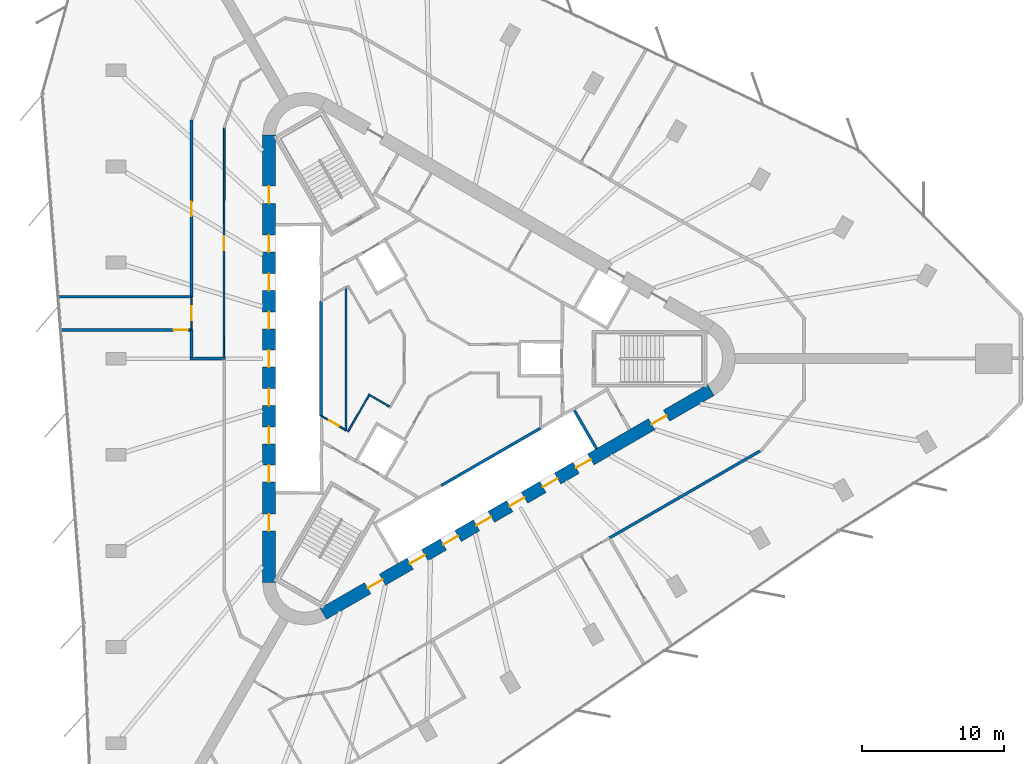
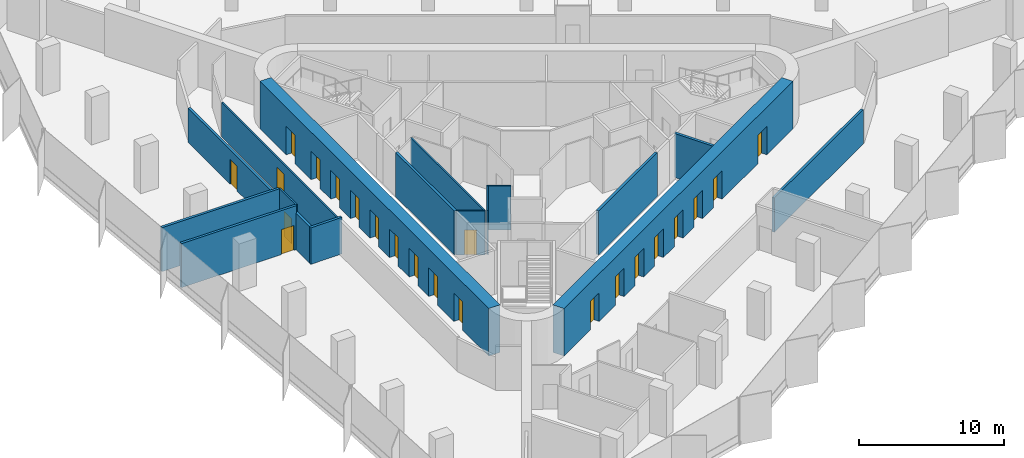
# One storey, part 9 of 13: 22 doors, 17 walls, 22 openings.
"""IFC4 building model written with IfcOpenShell, lengths in metres."""

from ifc_helpers import new_model, si_unit, direction, frame, frame_2d, origin, place, context, subcontext, project, spatial, rectangle, extrude, material, layer, layer_set, type_object, element, fill, save


model = new_model("IFC4")

# Units and contexts
model_context = context("Model", 3, precision=1e-05, world=origin(), true_north=direction((0.0, 1.0)))
body_context = subcontext(model_context, "Body", "Model", "MODEL_VIEW")
ifc_project = project(units=[si_unit("LENGTHUNIT", "METRE"), si_unit("AREAUNIT", "SQUARE_METRE"), si_unit("VOLUMEUNIT", "CUBIC_METRE"), si_unit("PLANEANGLEUNIT", "RADIAN"), si_unit("MASSUNIT", "GRAM", prefix="KILO")], contexts=[model_context])

# Site, building, storey
site_placement = place(None, origin())
site = spatial("IfcSite", under=ifc_project, at=site_placement, CompositionType="ELEMENT")
building_placement = place(site_placement, origin())
building = spatial("IfcBuilding", under=site, at=building_placement, Name="Tanit Gate Tower", CompositionType="ELEMENT")
storey_placement = place(building_placement, frame((0.0, 0.0, 185.199951171875)))
storey = spatial("IfcBuildingStorey", under=building, at=storey_placement, Name="L40", CompositionType="ELEMENT", Elevation=185.199951171875)

# Wall, openings, doors
ifc_material_1 = material(Name="Concrete C50/60", Category="concrete")
ifc_layer_1 = layer(ifc_material_1, 0.89990234375)
ifc_layer_set_1 = layer_set([ifc_layer_1], Name="CORE WALL 900 C50/60")
wall_type_1 = type_object("IfcWallType", Name="CORE WALL 900 C50/60", PredefinedType="SHEAR", material=ifc_layer_set_1)
wall_1_placement = place(storey_placement, frame((-11.64990234375, 15.76171875, 0.0), z_axis=(0.0, 0.0, 1.0), x_axis=(0.0, -1.0, 0.0)))
wall_1 = element("IfcWall", 1, at=wall_1_placement, inside=storey, type_object=wall_type_1, Name="CORE WALL", PredefinedType="SHEAR", context=body_context, shape_type="SweptSolid", body=[
    extrude(rectangle(XDim=31.5234375, YDim=0.89990234375, at=frame_2d((15.76171875, 0.0))), origin(), (0.0, 0.0, 1.0), 4.0),
])
opening_1_placement = place(wall_1_placement, frame((7.061767578125, 0.0, 0.0)))
opening_1 = element("IfcOpeningElement", 2, at=opening_1_placement, cuts=wall_1, Name="Opening LDML1-S10", PredefinedType="OPENING", context=body_context, shape_type="SweptSolid", body=[
    extrude(rectangle(XDim=1.199951171875, YDim=2.39990234375, at=frame_2d((0.60009765625, 1.199951171875))), frame((0.0, 0.4599609375, 0.0), z_axis=(0.0, -1.0, 0.0), x_axis=(1.0, 0.0, 0.0)), (0.0, 0.0, 1.0), 0.919921875),
])
opening_2_placement = place(wall_1_placement, frame((9.76171875, 0.0, 0.0)))
opening_2 = element("IfcOpeningElement", 3, at=opening_2_placement, cuts=wall_1, Name="Opening LDML2-S10", PredefinedType="OPENING", context=body_context, shape_type="SweptSolid", body=[
    extrude(rectangle(XDim=1.199951171875, YDim=2.39990234375, at=frame_2d((0.60009765625, 1.199951171875))), frame((0.0, 0.4599609375, 0.0), z_axis=(0.0, -1.0, 0.0), x_axis=(1.0, 0.0, 0.0)), (0.0, 0.0, 1.0), 0.919921875),
])
opening_3_placement = place(wall_1_placement, frame((12.461669921875, 0.0, 0.0)))
opening_3 = element("IfcOpeningElement", 4, at=opening_3_placement, cuts=wall_1, Name="Opening LDML3-S10", PredefinedType="OPENING", context=body_context, shape_type="SweptSolid", body=[
    extrude(rectangle(XDim=1.199951171875, YDim=2.39990234375, at=frame_2d((0.60009765625, 1.199951171875))), frame((0.0, 0.4599609375, 0.0), z_axis=(0.0, -1.0, 0.0), x_axis=(1.0, 0.0, 0.0)), (0.0, 0.0, 1.0), 0.919921875),
])
opening_4_placement = place(wall_1_placement, frame((15.16162109375, 0.0, 0.0)))
opening_4 = element("IfcOpeningElement", 5, at=opening_4_placement, cuts=wall_1, Name="Opening LDML4-S10", PredefinedType="OPENING", context=body_context, shape_type="SweptSolid", body=[
    extrude(rectangle(XDim=1.199951171875, YDim=2.39990234375, at=frame_2d((0.60009765625, 1.199951171875))), frame((0.0, 0.4599609375, 0.0), z_axis=(0.0, -1.0, 0.0), x_axis=(1.0, 0.0, 0.0)), (0.0, 0.0, 1.0), 0.919921875),
])
opening_5_placement = place(wall_1_placement, frame((17.86181640625, 0.0, 0.0)))
opening_5 = element("IfcOpeningElement", 6, at=opening_5_placement, cuts=wall_1, Name="Opening LDML5-S10", PredefinedType="OPENING", context=body_context, shape_type="SweptSolid", body=[
    extrude(rectangle(XDim=1.199951171875, YDim=2.39990234375, at=frame_2d((0.60009765625, 1.199951171875))), frame((0.0, 0.4599609375, 0.0), z_axis=(0.0, -1.0, 0.0), x_axis=(1.0, 0.0, 0.0)), (0.0, 0.0, 1.0), 0.919921875),
])
opening_6_placement = place(wall_1_placement, frame((20.561767578125, 0.0, 0.0)))
opening_6 = element("IfcOpeningElement", 7, at=opening_6_placement, cuts=wall_1, Name="Opening LDML6-S10", PredefinedType="OPENING", context=body_context, shape_type="SweptSolid", body=[
    extrude(rectangle(XDim=1.199951171875, YDim=2.39990234375, at=frame_2d((0.60009765625, 1.199951171875))), frame((0.0, 0.4599609375, 0.0), z_axis=(0.0, -1.0, 0.0), x_axis=(1.0, 0.0, 0.0)), (0.0, 0.0, 1.0), 0.919921875),
])
opening_7_placement = place(wall_1_placement, frame((23.26171875, 0.0, 0.0)))
opening_7 = element("IfcOpeningElement", 8, at=opening_7_placement, cuts=wall_1, Name="Opening LDML7-S10", PredefinedType="OPENING", context=body_context, shape_type="SweptSolid", body=[
    extrude(rectangle(XDim=1.199951171875, YDim=2.39990234375, at=frame_2d((0.60009765625, 1.199951171875))), frame((0.0, 0.4599609375, 0.0), z_axis=(0.0, -1.0, 0.0), x_axis=(1.0, 0.0, 0.0)), (0.0, 0.0, 1.0), 0.919921875),
])
opening_8_placement = place(wall_1_placement, frame((3.61181640625, 0.0, 0.0)))
opening_8 = element("IfcOpeningElement", 9, at=opening_8_placement, cuts=wall_1, Name="Opening F12-S10-FL2", PredefinedType="OPENING", context=body_context, shape_type="SweptSolid", body=[
    extrude(rectangle(XDim=1.199951171875, YDim=2.39990234375, at=frame_2d((0.60009765625, 1.199951171875))), frame((0.0, 0.4599609375, 0.0), z_axis=(0.0, -1.0, 0.0), x_axis=(1.0, 0.0, 0.0)), (0.0, 0.0, 1.0), 0.919921875),
])
opening_9_placement = place(wall_1_placement, frame((26.711669921875, 0.0, 0.0)))
opening_9 = element("IfcOpeningElement", 10, at=opening_9_placement, cuts=wall_1, Name="Opening F12-S10-S3", PredefinedType="OPENING", context=body_context, shape_type="SweptSolid", body=[
    extrude(rectangle(XDim=1.199951171875, YDim=2.39990234375, at=frame_2d((0.60009765625, 1.199951171875))), frame((0.0, 0.4599609375, 0.0), z_axis=(0.0, -1.0, 0.0), x_axis=(1.0, 0.0, 0.0)), (0.0, 0.0, 1.0), 0.919921875),
])
ifc_material_2 = material(Name="Fire-rated steel door leaf", Category="steel")
door_type_1 = type_object("IfcDoorType", Name="INT-DOOR-FIRE-LOBBY-1200", OperationType="NOTDEFINED", PredefinedType="USERDEFINED", material=ifc_material_2)
door_1_placement = place(opening_8_placement, origin())
door_1 = element("IfcDoor", 11, at=door_1_placement, inside=storey, type_object=door_type_1, Name="Door F12-S10-FL2", ObjectType="FIRE DOOR", OperationType="SINGLE_SWING_RIGHT", OverallHeight=2.39990234375, OverallWidth=1.199951171875, PredefinedType="USERDEFINED", context=body_context, shape_type="SweptSolid", body=[
    extrude(rectangle(XDim=1.199951171875, YDim=2.39990234375, at=frame_2d((0.60009765625, 1.199951171875))), frame((0.0, 0.02490234375, 0.0), z_axis=(0.0, -1.0, 0.0), x_axis=(1.0, 0.0, 0.0)), (0.0, 0.0, 1.0), 0.050048828125),
])
fill(opening_8, door_1)
door_2_placement = place(opening_9_placement, origin())
door_2 = element("IfcDoor", 12, at=door_2_placement, inside=storey, type_object=door_type_1, Name="Door F12-S10-S3", ObjectType="FIRE DOOR", OperationType="SINGLE_SWING_RIGHT", OverallHeight=2.39990234375, OverallWidth=1.199951171875, PredefinedType="USERDEFINED", context=body_context, shape_type="SweptSolid", body=[
    extrude(rectangle(XDim=1.199951171875, YDim=2.39990234375, at=frame_2d((0.60009765625, 1.199951171875))), frame((0.0, 0.02490234375, 0.0), z_axis=(0.0, -1.0, 0.0), x_axis=(1.0, 0.0, 0.0)), (0.0, 0.0, 1.0), 0.050048828125),
])
fill(opening_9, door_2)
ifc_material_3 = material(Name="Stainless steel sliding door leaf", Category="steel")
door_type_2 = type_object("IfcDoorType", Name="INT-DOOR-LANDING-1200", OperationType="NOTDEFINED", PredefinedType="USERDEFINED", material=ifc_material_3)
door_3_placement = place(opening_1_placement, origin())
door_3 = element("IfcDoor", 13, at=door_3_placement, inside=storey, type_object=door_type_2, Name="Door LDML1-S10", ObjectType="LANDING DOOR", OperationType="SLIDING_TO_LEFT", OverallHeight=2.39990234375, OverallWidth=1.199951171875, PredefinedType="USERDEFINED", context=body_context, shape_type="SweptSolid", body=[
    extrude(rectangle(XDim=1.199951171875, YDim=2.39990234375, at=frame_2d((0.60009765625, 1.199951171875))), frame((0.0, 0.02490234375, 0.0), z_axis=(0.0, -1.0, 0.0), x_axis=(1.0, 0.0, 0.0)), (0.0, 0.0, 1.0), 0.050048828125),
])
fill(opening_1, door_3)
door_4_placement = place(opening_2_placement, origin())
door_4 = element("IfcDoor", 14, at=door_4_placement, inside=storey, type_object=door_type_2, Name="Door LDML2-S10", ObjectType="LANDING DOOR", OperationType="SLIDING_TO_LEFT", OverallHeight=2.39990234375, OverallWidth=1.199951171875, PredefinedType="USERDEFINED", context=body_context, shape_type="SweptSolid", body=[
    extrude(rectangle(XDim=1.199951171875, YDim=2.39990234375, at=frame_2d((0.60009765625, 1.199951171875))), frame((0.0, 0.02490234375, 0.0), z_axis=(0.0, -1.0, 0.0), x_axis=(1.0, 0.0, 0.0)), (0.0, 0.0, 1.0), 0.050048828125),
])
fill(opening_2, door_4)
door_5_placement = place(opening_3_placement, origin())
door_5 = element("IfcDoor", 15, at=door_5_placement, inside=storey, type_object=door_type_2, Name="Door LDML3-S10", ObjectType="LANDING DOOR", OperationType="SLIDING_TO_LEFT", OverallHeight=2.39990234375, OverallWidth=1.199951171875, PredefinedType="USERDEFINED", context=body_context, shape_type="SweptSolid", body=[
    extrude(rectangle(XDim=1.199951171875, YDim=2.39990234375, at=frame_2d((0.60009765625, 1.199951171875))), frame((0.0, 0.02490234375, 0.0), z_axis=(0.0, -1.0, 0.0), x_axis=(1.0, 0.0, 0.0)), (0.0, 0.0, 1.0), 0.050048828125),
])
fill(opening_3, door_5)
door_6_placement = place(opening_4_placement, origin())
door_6 = element("IfcDoor", 16, at=door_6_placement, inside=storey, type_object=door_type_2, Name="Door LDML4-S10", ObjectType="LANDING DOOR", OperationType="SLIDING_TO_LEFT", OverallHeight=2.39990234375, OverallWidth=1.199951171875, PredefinedType="USERDEFINED", context=body_context, shape_type="SweptSolid", body=[
    extrude(rectangle(XDim=1.199951171875, YDim=2.39990234375, at=frame_2d((0.60009765625, 1.199951171875))), frame((0.0, 0.02490234375, 0.0), z_axis=(0.0, -1.0, 0.0), x_axis=(1.0, 0.0, 0.0)), (0.0, 0.0, 1.0), 0.050048828125),
])
fill(opening_4, door_6)
door_7_placement = place(opening_5_placement, origin())
door_7 = element("IfcDoor", 17, at=door_7_placement, inside=storey, type_object=door_type_2, Name="Door LDML5-S10", ObjectType="LANDING DOOR", OperationType="SLIDING_TO_LEFT", OverallHeight=2.39990234375, OverallWidth=1.199951171875, PredefinedType="USERDEFINED", context=body_context, shape_type="SweptSolid", body=[
    extrude(rectangle(XDim=1.199951171875, YDim=2.39990234375, at=frame_2d((0.60009765625, 1.199951171875))), frame((0.0, 0.02490234375, 0.0), z_axis=(0.0, -1.0, 0.0), x_axis=(1.0, 0.0, 0.0)), (0.0, 0.0, 1.0), 0.050048828125),
])
fill(opening_5, door_7)
door_8_placement = place(opening_6_placement, origin())
door_8 = element("IfcDoor", 18, at=door_8_placement, inside=storey, type_object=door_type_2, Name="Door LDML6-S10", ObjectType="LANDING DOOR", OperationType="SLIDING_TO_LEFT", OverallHeight=2.39990234375, OverallWidth=1.199951171875, PredefinedType="USERDEFINED", context=body_context, shape_type="SweptSolid", body=[
    extrude(rectangle(XDim=1.199951171875, YDim=2.39990234375, at=frame_2d((0.60009765625, 1.199951171875))), frame((0.0, 0.02490234375, 0.0), z_axis=(0.0, -1.0, 0.0), x_axis=(1.0, 0.0, 0.0)), (0.0, 0.0, 1.0), 0.050048828125),
])
fill(opening_6, door_8)
door_9_placement = place(opening_7_placement, origin())
door_9 = element("IfcDoor", 19, at=door_9_placement, inside=storey, type_object=door_type_2, Name="Door LDML7-S10", ObjectType="LANDING DOOR", OperationType="SLIDING_TO_LEFT", OverallHeight=2.39990234375, OverallWidth=1.199951171875, PredefinedType="USERDEFINED", context=body_context, shape_type="SweptSolid", body=[
    extrude(rectangle(XDim=1.199951171875, YDim=2.39990234375, at=frame_2d((0.60009765625, 1.199951171875))), frame((0.0, 0.02490234375, 0.0), z_axis=(0.0, -1.0, 0.0), x_axis=(1.0, 0.0, 0.0)), (0.0, 0.0, 1.0), 0.050048828125),
])
fill(opening_7, door_9)

wall_2_placement = place(storey_placement, frame((-7.824951171875, -17.969970703125, 0.0), z_axis=(0.0, 0.0, 1.0), x_axis=(0.866028369851, 0.499994862586, 0.0)))
wall_2 = element("IfcWall", 20, at=wall_2_placement, inside=storey, type_object=wall_type_1, Name="CORE WALL", PredefinedType="SHEAR", context=body_context, shape_type="SweptSolid", body=[
    extrude(rectangle(XDim=31.523193359375, YDim=0.89990234375, at=frame_2d((15.76171875, 0.0))), origin(), (0.0, 0.0, 1.0), 4.0),
])
opening_10_placement = place(wall_2_placement, frame((7.061767578125, 0.0, 0.0)))
opening_10 = element("IfcOpeningElement", 21, at=opening_10_placement, cuts=wall_2, Name="Opening LDSX1-S10", PredefinedType="OPENING", context=body_context, shape_type="SweptSolid", body=[
    extrude(rectangle(XDim=1.199951171875, YDim=2.39990234375, at=frame_2d((0.60009765625, 1.199951171875))), frame((0.0, 0.4599609375, 0.0), z_axis=(0.0, -1.0, 0.0), x_axis=(1.0, 0.0, 0.0)), (0.0, 0.0, 1.0), 0.919921875),
])
opening_11_placement = place(wall_2_placement, frame((9.76171875, 0.0, 0.0)))
opening_11 = element("IfcOpeningElement", 22, at=opening_11_placement, cuts=wall_2, Name="Opening LDSX2-S10", PredefinedType="OPENING", context=body_context, shape_type="SweptSolid", body=[
    extrude(rectangle(XDim=1.199951171875, YDim=2.39990234375, at=frame_2d((0.60009765625, 1.199951171875))), frame((0.0, 0.4599609375, 0.0), z_axis=(0.0, -1.0, 0.0), x_axis=(1.0, 0.0, 0.0)), (0.0, 0.0, 1.0), 0.919921875),
])
opening_12_placement = place(wall_2_placement, frame((12.461669921875, 0.0, 0.0)))
opening_12 = element("IfcOpeningElement", 23, at=opening_12_placement, cuts=wall_2, Name="Opening LDSX3-S10", PredefinedType="OPENING", context=body_context, shape_type="SweptSolid", body=[
    extrude(rectangle(XDim=1.199951171875, YDim=2.39990234375, at=frame_2d((0.60009765625, 1.199951171875))), frame((0.0, 0.4599609375, 0.0), z_axis=(0.0, -1.0, 0.0), x_axis=(1.0, 0.0, 0.0)), (0.0, 0.0, 1.0), 0.919921875),
])
opening_13_placement = place(wall_2_placement, frame((15.16162109375, 0.0, 0.0)))
opening_13 = element("IfcOpeningElement", 24, at=opening_13_placement, cuts=wall_2, Name="Opening LDSX4-S10", PredefinedType="OPENING", context=body_context, shape_type="SweptSolid", body=[
    extrude(rectangle(XDim=1.199951171875, YDim=2.39990234375, at=frame_2d((0.60009765625, 1.199951171875))), frame((0.0, 0.4599609375, 0.0), z_axis=(0.0, -1.0, 0.0), x_axis=(1.0, 0.0, 0.0)), (0.0, 0.0, 1.0), 0.919921875),
])
opening_14_placement = place(wall_2_placement, frame((17.861572265625, 0.0, 0.0)))
opening_14 = element("IfcOpeningElement", 25, at=opening_14_placement, cuts=wall_2, Name="Opening LDSV1-S10", PredefinedType="OPENING", context=body_context, shape_type="SweptSolid", body=[
    extrude(rectangle(XDim=1.199951171875, YDim=2.39990234375, at=frame_2d((0.60009765625, 1.199951171875))), frame((0.0, 0.4599609375, 0.0), z_axis=(0.0, -1.0, 0.0), x_axis=(1.0, 0.0, 0.0)), (0.0, 0.0, 1.0), 0.919921875),
])
opening_15_placement = place(wall_2_placement, frame((20.561767578125, 0.0, 0.0)))
opening_15 = element("IfcOpeningElement", 26, at=opening_15_placement, cuts=wall_2, Name="Opening LDSV2-S10", PredefinedType="OPENING", context=body_context, shape_type="SweptSolid", body=[
    extrude(rectangle(XDim=1.199951171875, YDim=2.39990234375, at=frame_2d((0.60009765625, 1.199951171875))), frame((0.0, 0.4599609375, 0.0), z_axis=(0.0, -1.0, 0.0), x_axis=(1.0, 0.0, 0.0)), (0.0, 0.0, 1.0), 0.919921875),
])
opening_16_placement = place(wall_2_placement, frame((26.711669921875, 0.0, 0.0)))
opening_16 = element("IfcOpeningElement", 27, at=opening_16_placement, cuts=wall_2, Name="Opening F12-S10-S1", PredefinedType="OPENING", context=body_context, shape_type="SweptSolid", body=[
    extrude(rectangle(XDim=1.199951171875, YDim=2.39990234375, at=frame_2d((0.60009765625, 1.199951171875))), frame((0.0, 0.4599609375, 0.0), z_axis=(0.0, -1.0, 0.0), x_axis=(1.0, 0.0, 0.0)), (0.0, 0.0, 1.0), 0.919921875),
])
opening_17_placement = place(wall_2_placement, frame((3.611572265625, 0.0, 0.0)))
opening_17 = element("IfcOpeningElement", 28, at=opening_17_placement, cuts=wall_2, Name="Opening F12-S10-FL3", PredefinedType="OPENING", context=body_context, shape_type="SweptSolid", body=[
    extrude(rectangle(XDim=1.199951171875, YDim=2.39990234375, at=frame_2d((0.60009765625, 1.199951171875))), frame((0.0, 0.4599609375, 0.0), z_axis=(0.0, -1.0, 0.0), x_axis=(1.0, 0.0, 0.0)), (0.0, 0.0, 1.0), 0.919921875),
])
door_10_placement = place(opening_16_placement, origin())
door_10 = element("IfcDoor", 29, at=door_10_placement, inside=storey, type_object=door_type_1, Name="Door F12-S10-S1", ObjectType="FIRE DOOR", OperationType="SINGLE_SWING_LEFT", OverallHeight=2.39990234375, OverallWidth=1.199951171875, PredefinedType="USERDEFINED", context=body_context, shape_type="SweptSolid", body=[
    extrude(rectangle(XDim=1.199951171875, YDim=2.39990234375, at=frame_2d((0.60009765625, 1.199951171875))), frame((0.0, 0.02490234375, 0.0), z_axis=(0.0, -1.0, 0.0), x_axis=(1.0, 0.0, 0.0)), (0.0, 0.0, 1.0), 0.050048828125),
])
fill(opening_16, door_10)
door_11_placement = place(opening_17_placement, origin())
door_11 = element("IfcDoor", 30, at=door_11_placement, inside=storey, type_object=door_type_1, Name="Door F12-S10-FL3", ObjectType="FIRE DOOR", OperationType="SINGLE_SWING_RIGHT", OverallHeight=2.39990234375, OverallWidth=1.199951171875, PredefinedType="USERDEFINED", context=body_context, shape_type="SweptSolid", body=[
    extrude(rectangle(XDim=1.199951171875, YDim=2.39990234375, at=frame_2d((0.60009765625, 1.199951171875))), frame((0.0, 0.02490234375, 0.0), z_axis=(0.0, -1.0, 0.0), x_axis=(1.0, 0.0, 0.0)), (0.0, 0.0, 1.0), 0.050048828125),
])
fill(opening_17, door_11)
door_12_placement = place(opening_10_placement, origin())
door_12 = element("IfcDoor", 31, at=door_12_placement, inside=storey, type_object=door_type_2, Name="Door LDSX1-S10", ObjectType="LANDING DOOR", OperationType="SLIDING_TO_LEFT", OverallHeight=2.39990234375, OverallWidth=1.199951171875, PredefinedType="USERDEFINED", context=body_context, shape_type="SweptSolid", body=[
    extrude(rectangle(XDim=1.199951171875, YDim=2.39990234375, at=frame_2d((0.60009765625, 1.199951171875))), frame((0.0, 0.02490234375, 0.0), z_axis=(0.0, -1.0, 0.0), x_axis=(1.0, 0.0, 0.0)), (0.0, 0.0, 1.0), 0.050048828125),
])
fill(opening_10, door_12)
door_13_placement = place(opening_11_placement, origin())
door_13 = element("IfcDoor", 32, at=door_13_placement, inside=storey, type_object=door_type_2, Name="Door LDSX2-S10", ObjectType="LANDING DOOR", OperationType="SLIDING_TO_LEFT", OverallHeight=2.39990234375, OverallWidth=1.199951171875, PredefinedType="USERDEFINED", context=body_context, shape_type="SweptSolid", body=[
    extrude(rectangle(XDim=1.199951171875, YDim=2.39990234375, at=frame_2d((0.60009765625, 1.199951171875))), frame((0.0, 0.02490234375, 0.0), z_axis=(0.0, -1.0, 0.0), x_axis=(1.0, 0.0, 0.0)), (0.0, 0.0, 1.0), 0.050048828125),
])
fill(opening_11, door_13)
door_14_placement = place(opening_12_placement, origin())
door_14 = element("IfcDoor", 33, at=door_14_placement, inside=storey, type_object=door_type_2, Name="Door LDSX3-S10", ObjectType="LANDING DOOR", OperationType="SLIDING_TO_LEFT", OverallHeight=2.39990234375, OverallWidth=1.199951171875, PredefinedType="USERDEFINED", context=body_context, shape_type="SweptSolid", body=[
    extrude(rectangle(XDim=1.199951171875, YDim=2.39990234375, at=frame_2d((0.60009765625, 1.199951171875))), frame((0.0, 0.02490234375, 0.0), z_axis=(0.0, -1.0, 0.0), x_axis=(1.0, 0.0, 0.0)), (0.0, 0.0, 1.0), 0.050048828125),
])
fill(opening_12, door_14)
door_15_placement = place(opening_13_placement, origin())
door_15 = element("IfcDoor", 34, at=door_15_placement, inside=storey, type_object=door_type_2, Name="Door LDSX4-S10", ObjectType="LANDING DOOR", OperationType="SLIDING_TO_LEFT", OverallHeight=2.39990234375, OverallWidth=1.199951171875, PredefinedType="USERDEFINED", context=body_context, shape_type="SweptSolid", body=[
    extrude(rectangle(XDim=1.199951171875, YDim=2.39990234375, at=frame_2d((0.60009765625, 1.199951171875))), frame((0.0, 0.02490234375, 0.0), z_axis=(0.0, -1.0, 0.0), x_axis=(1.0, 0.0, 0.0)), (0.0, 0.0, 1.0), 0.050048828125),
])
fill(opening_13, door_15)
door_16_placement = place(opening_14_placement, origin())
door_16 = element("IfcDoor", 35, at=door_16_placement, inside=storey, type_object=door_type_2, Name="Door LDSV1-S10", ObjectType="LANDING DOOR", OperationType="SLIDING_TO_LEFT", OverallHeight=2.39990234375, OverallWidth=1.199951171875, PredefinedType="USERDEFINED", context=body_context, shape_type="SweptSolid", body=[
    extrude(rectangle(XDim=1.199951171875, YDim=2.39990234375, at=frame_2d((0.60009765625, 1.199951171875))), frame((0.0, 0.02490234375, 0.0), z_axis=(0.0, -1.0, 0.0), x_axis=(1.0, 0.0, 0.0)), (0.0, 0.0, 1.0), 0.050048828125),
])
fill(opening_14, door_16)
door_17_placement = place(opening_15_placement, origin())
door_17 = element("IfcDoor", 36, at=door_17_placement, inside=storey, type_object=door_type_2, Name="Door LDSV2-S10", ObjectType="LANDING DOOR", OperationType="SLIDING_TO_LEFT", OverallHeight=2.39990234375, OverallWidth=1.199951171875, PredefinedType="USERDEFINED", context=body_context, shape_type="SweptSolid", body=[
    extrude(rectangle(XDim=1.199951171875, YDim=2.39990234375, at=frame_2d((0.60009765625, 1.199951171875))), frame((0.0, 0.02490234375, 0.0), z_axis=(0.0, -1.0, 0.0), x_axis=(1.0, 0.0, 0.0)), (0.0, 0.0, 1.0), 0.050048828125),
])
fill(opening_15, door_17)

# Wall
ifc_material_4 = material(Name="Fire-rated gypsum board partition")
ifc_layer_2 = layer(ifc_material_4, 0.199951171875)
ifc_layer_set_2 = layer_set([ifc_layer_2], Name="INT-WALL-COMPARTMENT")
wall_type_2 = type_object("IfcWallType", Name="INT-WALL-COMPARTMENT", PredefinedType="PARTITIONING", material=ifc_layer_set_2)
wall_3_placement = place(storey_placement, frame((-17.199951171875, -0.001220703125, 0.0), z_axis=(0.0, 0.0, 1.0), x_axis=(0.999915662945, 0.012987185857, 0.0)))
element("IfcWall", 37, at=wall_3_placement, inside=storey, type_object=wall_type_2, Name="Wall Compartment W088", PredefinedType="PARTITIONING", context=body_context, shape_type="SweptSolid", body=[
    extrude(rectangle(XDim=2.500244140625, YDim=0.199951171875, at=frame_2d((1.25, 0.0))), origin(), (0.0, 0.0, 1.0), 3.070068359375),
])

# Wall, opening, door
wall_4_placement = place(storey_placement, frame((-17.10009765625, 16.82275390625, 0.0), z_axis=(0.0, 0.0, 1.0), x_axis=(0.0, -1.0, 0.0)))
wall_4 = element("IfcWall", 38, at=wall_4_placement, inside=storey, type_object=wall_type_2, Name="Wall Compartment W090", PredefinedType="PARTITIONING", context=body_context, shape_type="SweptSolid", body=[
    extrude(rectangle(XDim=12.47265625, YDim=0.199951171875, at=frame_2d((6.236328125, 0.0))), origin(), (0.0, 0.0, 1.0), 2.880126953125),
])
opening_18_placement = place(wall_4_placement, frame((5.7763671875, 0.0, 0.0)))
opening_18 = element("IfcOpeningElement", 39, at=opening_18_placement, cuts=wall_4, Name="Opening F10-S10-26", PredefinedType="OPENING", context=body_context, shape_type="SweptSolid", body=[
    extrude(rectangle(XDim=1.0, YDim=2.10009765625, at=frame_2d((0.5, 1.050048828125))), frame((0.0, 0.10986328125, 0.0), z_axis=(0.0, -1.0, 0.0), x_axis=(1.0, 0.0, 0.0)), (0.0, 0.0, 1.0), 0.219970703125),
])
ifc_material_5 = material(Name="Fire-rated steel door leaf", Category="steel")
door_type_3 = type_object("IfcDoorType", Name="INT-DOOR-FIRE-1000", OperationType="NOTDEFINED", PredefinedType="USERDEFINED", material=ifc_material_5)
door_18_placement = place(opening_18_placement, origin())
door_18 = element("IfcDoor", 40, at=door_18_placement, inside=storey, type_object=door_type_3, Name="Door F10-S10-26", ObjectType="FIRE DOOR", OperationType="SINGLE_SWING_RIGHT", OverallHeight=2.10009765625, OverallWidth=1.0, PredefinedType="USERDEFINED", context=body_context, shape_type="SweptSolid", body=[
    extrude(rectangle(XDim=1.0, YDim=2.10009765625, at=frame_2d((0.5, 1.050048828125))), frame((0.0, 0.02490234375, 0.0), z_axis=(0.0, -1.0, 0.0), x_axis=(1.0, 0.0, 0.0)), (0.0, 0.0, 1.0), 0.050048828125),
])
fill(opening_18, door_18)

# Walls
wall_5_placement = place(storey_placement, frame((-17.10009765625, 2.050048828125, 0.0), z_axis=(0.0, 0.0, 1.0), x_axis=(0.0, -1.0, 0.0)))
element("IfcWall", 41, at=wall_5_placement, inside=storey, type_object=wall_type_2, Name="Wall Compartment W089", PredefinedType="PARTITIONING", context=body_context, shape_type="SweptSolid", body=[
    extrude(rectangle(XDim=1.949951171875, YDim=0.199951171875, at=frame_2d((0.97509765625, 0.0))), origin(), (0.0, 0.0, 1.0), 3.070068359375),
])
wall_6_placement = place(storey_placement, frame((12.317138671875, -12.634033203125, 0.0), z_axis=(0.0, 0.0, 1.0), x_axis=(0.866028561818, 0.499994530085, 0.0)))
element("IfcWall", 42, at=wall_6_placement, inside=storey, type_object=wall_type_2, Name="Wall Compartment W107", PredefinedType="PARTITIONING", context=body_context, shape_type="SweptSolid", body=[
    extrude(rectangle(XDim=12.272705078125, YDim=0.199951171875, at=frame_2d((6.13623046875, 0.0))), origin(), (0.0, 0.0, 1.0), 2.880126953125),
])

# Wall, opening, door
wall_7_placement = place(storey_placement, frame((-26.33154296875, 2.02978515625, 0.0), z_axis=(0.0, 0.0, 1.0), x_axis=(0.999999999646, 2.6619107e-05, 0.0)))
wall_7 = element("IfcWall", 43, at=wall_7_placement, inside=storey, type_object=wall_type_2, Name="Wall Compartment W113", PredefinedType="PARTITIONING", context=body_context, shape_type="SweptSolid", body=[
    extrude(rectangle(XDim=9.171630859375, YDim=0.199951171875, at=frame_2d((4.5859375, 0.0))), origin(), (0.0, 0.0, 1.0), 3.699951171875),
])
opening_19_placement = place(wall_7_placement, frame((7.9716796875, 0.0, 0.0)))
opening_19 = element("IfcOpeningElement", 44, at=opening_19_placement, cuts=wall_7, Name="Opening F10-S10-25", PredefinedType="OPENING", context=body_context, shape_type="SweptSolid", body=[
    extrude(rectangle(XDim=1.0, YDim=2.10009765625, at=frame_2d((0.5, 1.050048828125))), frame((0.0, 0.10986328125, 0.0), z_axis=(0.0, -1.0, 0.0), x_axis=(1.0, 0.0, 0.0)), (0.0, 0.0, 1.0), 0.219970703125),
])
door_19_placement = place(opening_19_placement, origin())
door_19 = element("IfcDoor", 45, at=door_19_placement, inside=storey, type_object=door_type_3, Name="Door F10-S10-25", ObjectType="FIRE DOOR", OperationType="SINGLE_SWING_RIGHT", OverallHeight=2.10009765625, OverallWidth=1.0, PredefinedType="USERDEFINED", context=body_context, shape_type="SweptSolid", body=[
    extrude(rectangle(XDim=1.0, YDim=2.10009765625, at=frame_2d((0.5, 1.050048828125))), frame((0.0, 0.02490234375, 0.0), z_axis=(0.0, -1.0, 0.0), x_axis=(1.0, 0.0, 0.0)), (0.0, 0.0, 1.0), 0.050048828125),
])
fill(opening_19, door_19)

# Walls
wall_8_placement = place(storey_placement, frame((-17.159912109375, 4.3701171875, 0.0), z_axis=(0.0, 0.0, 1.0), x_axis=(-1.0, 0.0, 0.0)))
element("IfcWall", 46, at=wall_8_placement, inside=storey, type_object=wall_type_2, Name="Wall Compartment W114", PredefinedType="PARTITIONING", context=body_context, shape_type="SweptSolid", body=[
    extrude(rectangle(XDim=9.35400390625, YDim=0.199951171875, at=frame_2d((4.677001953125, 0.0))), origin(), (0.0, 0.0, 1.0), 3.699951171875),
])
ifc_material_6 = material(Name="Gypsum board partition")
ifc_layer_3 = layer(ifc_material_6, 0.1201171875)
ifc_layer_set_3 = layer_set([ifc_layer_3], Name="INT-WALL-PARTITION")
wall_type_3 = type_object("IfcWallType", Name="INT-WALL-PARTITION", PredefinedType="PARTITIONING", material=ifc_layer_set_3)
wall_9_placement = place(storey_placement, frame((-6.2314453125, 5.0625, 0.0), z_axis=(0.0, 0.0, 1.0), x_axis=(0.0, -1.0, 0.0)))
element("IfcWall", 47, at=wall_9_placement, inside=storey, type_object=wall_type_3, Name="Wall Partition W074", PredefinedType="PARTITIONING", context=body_context, shape_type="SweptSolid", body=[
    extrude(rectangle(XDim=10.125, YDim=0.1201171875, at=frame_2d((5.0625, 0.0))), origin(), (0.0, 0.0, 1.0), 3.699951171875),
])

# Wall, opening, door
wall_10_placement = place(storey_placement, frame((-7.949951171875, -4.041015625, 0.0), z_axis=(0.0, 0.0, 1.0), x_axis=(0.867071050325, -0.498184497639, 0.0)))
wall_10 = element("IfcWall", 48, at=wall_10_placement, inside=storey, type_object=wall_type_3, Name="Wall Partition W075", PredefinedType="PARTITIONING", context=body_context, shape_type="SweptSolid", body=[
    extrude(rectangle(XDim=2.0166015625, YDim=0.1201171875, at=frame_2d((1.00830078125, 0.0))), origin(), (0.0, 0.0, 1.0), 3.699951171875),
])
opening_20_placement = place(wall_10_placement, frame((0.6083984375, 0.0, 0.0)))
opening_20 = element("IfcOpeningElement", 49, at=opening_20_placement, cuts=wall_10, Name="Opening R08-S10-12", PredefinedType="OPENING", context=body_context, shape_type="SweptSolid", body=[
    extrude(rectangle(XDim=0.800048828125, YDim=2.10009765625, at=frame_2d((0.39990234375, 1.050048828125))), frame((0.0, 0.070068359375, 0.0), z_axis=(0.0, -1.0, 0.0), x_axis=(1.0, 0.0, 0.0)), (0.0, 0.0, 1.0), 0.14013671875),
])
ifc_material_7 = material(Name="Timber door leaf", Category="wood")
door_type_4 = type_object("IfcDoorType", Name="INT-DOOR-RISER-800", OperationType="NOTDEFINED", PredefinedType="USERDEFINED", material=ifc_material_7)
door_20_placement = place(opening_20_placement, origin())
door_20 = element("IfcDoor", 50, at=door_20_placement, inside=storey, type_object=door_type_4, Name="Door R08-S10-12", ObjectType="FIRE DOOR", OperationType="SINGLE_SWING_RIGHT", OverallHeight=2.10009765625, OverallWidth=0.800048828125, PredefinedType="USERDEFINED", context=body_context, shape_type="SweptSolid", body=[
    extrude(rectangle(XDim=0.800048828125, YDim=2.10009765625, at=frame_2d((0.39990234375, 1.050048828125))), frame((0.0, 0.02490234375, 0.0), z_axis=(0.0, -1.0, 0.0), x_axis=(1.0, 0.0, 0.0)), (0.0, 0.0, 1.0), 0.050048828125),
])
fill(opening_20, door_20)

# Walls
wall_11_placement = place(storey_placement, frame((-4.64013671875, -2.51708984375, 0.0), z_axis=(0.0, 0.0, 1.0), x_axis=(0.865989465428, -0.500062241894, 0.0)))
element("IfcWall", 51, at=wall_11_placement, inside=storey, type_object=wall_type_3, Name="Wall Partition W082", PredefinedType="PARTITIONING", context=body_context, shape_type="SweptSolid", body=[
    extrude(rectangle(XDim=1.699951171875, YDim=0.1201171875, at=frame_2d((0.85009765625, 0.0))), origin(), (0.0, 0.0, 1.0), 3.699951171875),
])
wall_12_placement = place(storey_placement, frame((-6.08837890625, -5.145263671875, 0.0), z_axis=(0.0, 0.0, 1.0), x_axis=(0.500050696077, 0.865996132412, 0.0)))
element("IfcWall", 52, at=wall_12_placement, inside=storey, type_object=wall_type_3, Name="Wall Partition W083", PredefinedType="PARTITIONING", context=body_context, shape_type="SweptSolid", body=[
    extrude(rectangle(XDim=2.940185546875, YDim=0.1201171875, at=frame_2d((1.47021484375, 0.0))), origin(), (0.0, 0.0, 1.0), 3.699951171875),
])

# Wall, opening, door
wall_13_placement = place(storey_placement, frame((-14.800048828125, 16.257080078125, 0.0), z_axis=(0.0, 0.0, 1.0), x_axis=(-0.001847148781, -0.999998294019, 0.0)))
wall_13 = element("IfcWall", 53, at=wall_13_placement, inside=storey, type_object=wall_type_3, Name="Wall Partition W086", PredefinedType="PARTITIONING", context=body_context, shape_type="SweptSolid", body=[
    extrude(rectangle(XDim=16.257080078125, YDim=0.1201171875, at=frame_2d((8.12841796875, 0.0))), origin(), (0.0, 0.0, 1.0), 2.880126953125),
])
opening_21_placement = place(wall_13_placement, frame((7.628662109375, 0.0, 0.0)))
opening_21 = element("IfcOpeningElement", 54, at=opening_21_placement, cuts=wall_13, Name="Opening D10-S10-17", PredefinedType="OPENING", context=body_context, shape_type="SweptSolid", body=[
    extrude(rectangle(XDim=1.0, YDim=2.10009765625, at=frame_2d((0.5, 1.050048828125))), frame((0.0, 0.070068359375, 0.0), z_axis=(0.0, -1.0, 0.0), x_axis=(1.0, 0.0, 0.0)), (0.0, 0.0, 1.0), 0.14013671875),
])
ifc_material_8 = material(Name="Timber door leaf", Category="wood")
door_type_5 = type_object("IfcDoorType", Name="INT-DOOR-SINGLE-1000", OperationType="NOTDEFINED", PredefinedType="NOTDEFINED", material=ifc_material_8)
door_21_placement = place(opening_21_placement, origin())
door_21 = element("IfcDoor", 55, at=door_21_placement, inside=storey, type_object=door_type_5, Name="Door D10-S10-17", OperationType="SINGLE_SWING_RIGHT", OverallHeight=2.10009765625, OverallWidth=1.0, PredefinedType="NOTDEFINED", context=body_context, shape_type="SweptSolid", body=[
    extrude(rectangle(XDim=1.0, YDim=2.10009765625, at=frame_2d((0.5, 1.050048828125))), frame((0.0, 0.02490234375, 0.0), z_axis=(0.0, -1.0, 0.0), x_axis=(1.0, 0.0, 0.0)), (0.0, 0.0, 1.0), 0.050048828125),
])
fill(opening_21, door_21)

wall_14_placement = place(storey_placement, frame((-17.10009765625, 4.35009765625, 0.0), z_axis=(0.0, 0.0, 1.0), x_axis=(0.0, -1.0, 0.0)))
wall_14 = element("IfcWall", 56, at=wall_14_placement, inside=storey, type_object=wall_type_3, Name="Wall Partition W087", PredefinedType="PARTITIONING", context=body_context, shape_type="SweptSolid", body=[
    extrude(rectangle(XDim=2.300048828125, YDim=0.1201171875, at=frame_2d((1.14990234375, 0.0))), origin(), (0.0, 0.0, 1.0), 3.699951171875),
])
opening_22_placement = place(wall_14_placement, frame((0.64990234375, 0.0, 0.0)))
opening_22 = element("IfcOpeningElement", 57, at=opening_22_placement, cuts=wall_14, Name="Opening D10-S10-18", PredefinedType="OPENING", context=body_context, shape_type="SweptSolid", body=[
    extrude(rectangle(XDim=1.0, YDim=2.10009765625, at=frame_2d((0.5, 1.050048828125))), frame((0.0, 0.070068359375, 0.0), z_axis=(0.0, -1.0, 0.0), x_axis=(1.0, 0.0, 0.0)), (0.0, 0.0, 1.0), 0.14013671875),
])
door_22_placement = place(opening_22_placement, origin())
door_22 = element("IfcDoor", 58, at=door_22_placement, inside=storey, type_object=door_type_5, Name="Door D10-S10-18", OperationType="SINGLE_SWING_LEFT", OverallHeight=2.10009765625, OverallWidth=1.0, PredefinedType="NOTDEFINED", context=body_context, shape_type="SweptSolid", body=[
    extrude(rectangle(XDim=1.0, YDim=2.10009765625, at=frame_2d((0.5, 1.050048828125))), frame((0.0, 0.02490234375, 0.0), z_axis=(0.0, -1.0, 0.0), x_axis=(1.0, 0.0, 0.0)), (0.0, 0.0, 1.0), 0.050048828125),
])
fill(opening_22, door_22)

# Walls
ifc_material_9 = material(Name="Gypsum shaft wall system")
ifc_layer_4 = layer(ifc_material_9, 0.199951171875)
ifc_layer_set_4 = layer_set([ifc_layer_4], Name="INT-WALL-SHAFT")
wall_type_4 = type_object("IfcWallType", Name="INT-WALL-SHAFT", PredefinedType="PLUMBINGWALL", material=ifc_layer_set_4)
wall_15_placement = place(storey_placement, frame((-7.97998046875, 4.050048828125, 0.0), z_axis=(0.0, 0.0, 1.0), x_axis=(0.0, -1.0, 0.0)))
element("IfcWall", 59, at=wall_15_placement, inside=storey, type_object=wall_type_4, Name="Wall Shaft W005", PredefinedType="PLUMBINGWALL", context=body_context, shape_type="SweptSolid", body=[
    extrude(rectangle(XDim=8.10009765625, YDim=0.199951171875, at=frame_2d((4.050048828125, 0.0))), origin(), (0.0, 0.0, 1.0), 3.699951171875),
])
wall_16_placement = place(storey_placement, frame((0.482666015625, -8.935791015625, 0.0), z_axis=(0.0, 0.0, 1.0), x_axis=(0.866030989016, 0.499990325971, 0.0)))
element("IfcWall", 60, at=wall_16_placement, inside=storey, type_object=wall_type_4, Name="Wall Shaft W023", PredefinedType="PLUMBINGWALL", context=body_context, shape_type="SweptSolid", body=[
    extrude(rectangle(XDim=8.099853515625, YDim=0.199951171875, at=frame_2d((4.0498046875, 0.0))), origin(), (0.0, 0.0, 1.0), 3.699951171875),
])
wall_17_placement = place(storey_placement, frame((9.794677734375, -3.52490234375, 0.0), z_axis=(0.0, 0.0, 1.0), x_axis=(0.499984717929, -0.866034226713, 0.0)))
element("IfcWall", 61, at=wall_17_placement, inside=storey, type_object=wall_type_4, Name="Wall Shaft W016", PredefinedType="PLUMBINGWALL", context=body_context, shape_type="SweptSolid", body=[
    extrude(rectangle(XDim=3.25, YDim=0.199951171875, at=frame_2d((1.625, 0.0))), origin(), (0.0, 0.0, 1.0), 3.699951171875),
])

save(model, "model.ifc")
